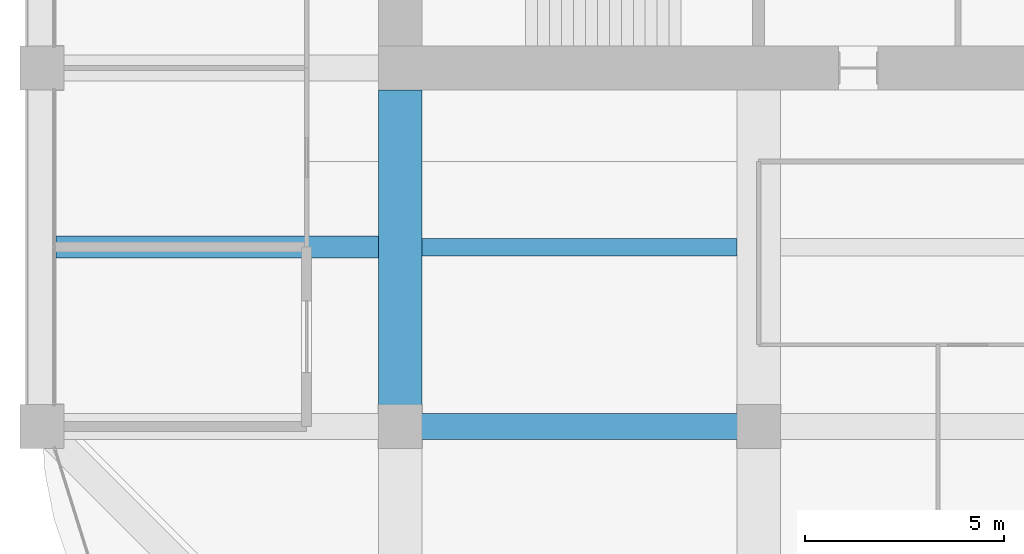
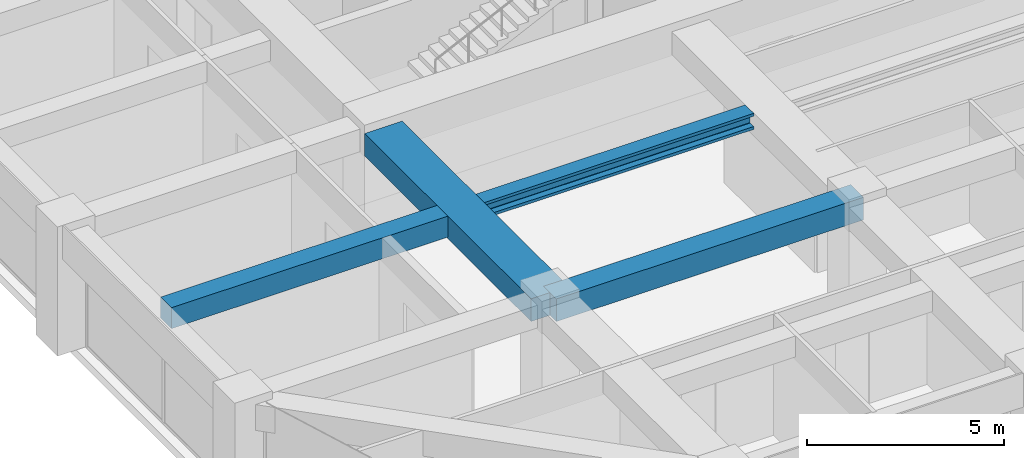
# One storey, part 8 of 44: 4 beams.
"""IFC4 building model written with IfcOpenShell, lengths in metres."""

from ifc_helpers import new_model, si_unit, direction, frame, origin, origin_2d, place, context, subcontext, project, spatial, rectangle, i_section, extrude, material, material_profile, profile_set, type_object, element, save


model = new_model("IFC4")

# Units and contexts
model_context = context("Model", 3, precision=1e-05, world=origin(), true_north=direction((0.0, 1.0)))
body_context = subcontext(model_context, "Body", "Model", "MODEL_VIEW")
ifc_project = project(units=[si_unit("LENGTHUNIT", "METRE"), si_unit("AREAUNIT", "SQUARE_METRE"), si_unit("VOLUMEUNIT", "CUBIC_METRE"), si_unit("PLANEANGLEUNIT", "RADIAN"), si_unit("MASSUNIT", "GRAM", prefix="KILO")], contexts=[model_context])

# Site, building, storey
site_placement = place(None, origin())
site = spatial("IfcSite", under=ifc_project, at=site_placement, CompositionType="ELEMENT")
building_placement = place(site_placement, origin())
building = spatial("IfcBuilding", under=site, at=building_placement, Name="Zorevar Civic Tower", CompositionType="ELEMENT")
storey_placement = place(building_placement, frame((0.0, 0.0, 275.39990234375)))
storey = spatial("IfcBuildingStorey", under=building, at=storey_placement, Name="L67", CompositionType="ELEMENT", Elevation=275.39990234375)

# Beams
ifc_material_1 = material(Name="Concrete C50/60", Category="concrete")
ifc_material_profile_1 = material_profile(ifc_material_1, rectangle(XDim=1.10009765625, YDim=0.699951171875, at=origin_2d()), Name="RC 1100x700")
ifc_profile_set_1 = profile_set([ifc_material_profile_1], Name="Concrete C50/60")
beam_type_1 = type_object("IfcBeamType", Name="Beam RC 1100x700", PredefinedType="BEAM", material=ifc_profile_set_1)
beam_1_placement = place(storey_placement, frame((18.0, 9.0, 3.400146484375), z_axis=(0.0, 1.0, 0.0), x_axis=(-1.0, 0.0, 0.0)))
element("IfcBeam", 1, at=beam_1_placement, inside=storey, type_object=beam_type_1, Name="Girder L68", PredefinedType="BEAM", context=body_context, shape_type="SweptSolid", body=[
    extrude(rectangle(XDim=1.10009765625, YDim=0.699951171875, at=origin_2d()), origin(), (0.0, 0.0, 1.0), 8.449951171875),
])
ifc_material_2 = material(Name="Concrete C50/60", Category="concrete")
ifc_material_profile_2 = material_profile(ifc_material_2, rectangle(XDim=0.550048828125, YDim=0.64990234375, at=origin_2d()), Name="RC 550x650")
ifc_profile_set_2 = profile_set([ifc_material_profile_2], Name="Concrete C50/60")
beam_type_2 = type_object("IfcBeamType", Name="Beam RC 550x650", PredefinedType="BEAM", material=ifc_profile_set_2)
beam_2_placement = place(storey_placement, frame((9.35009765625, 13.5, 3.425048828125), z_axis=(1.0, 0.0, 0.0), x_axis=(0.0, 1.0, 0.0)))
element("IfcBeam", 2, at=beam_2_placement, inside=storey, type_object=beam_type_2, Name="Secondary beam L68", PredefinedType="BEAM", context=body_context, shape_type="SweptSolid", body=[
    extrude(rectangle(XDim=0.550048828125, YDim=0.64990234375, at=origin_2d()), origin(), (0.0, 0.0, 1.0), 8.099853515625),
])
ifc_material_3 = material(Name="Concrete C50/60", Category="concrete")
ifc_material_profile_3 = material_profile(ifc_material_3, rectangle(XDim=0.64990234375, YDim=0.699951171875, at=origin_2d()), Name="RC 650x700")
ifc_profile_set_3 = profile_set([ifc_material_profile_3], Name="Concrete C50/60")
beam_type_3 = type_object("IfcBeamType", Name="Beam RC 650x700", PredefinedType="BEAM", material=ifc_profile_set_3)
beam_3_placement = place(storey_placement, frame((18.0, 9.0, 3.400146484375), z_axis=(1.0, 0.0, 0.0), x_axis=(0.0, 1.0, 0.0)))
element("IfcBeam", 3, at=beam_3_placement, inside=storey, type_object=beam_type_3, Name="Girder L68", PredefinedType="BEAM", context=body_context, shape_type="SweptSolid", body=[
    extrude(rectangle(XDim=0.64990234375, YDim=0.699951171875, at=origin_2d()), origin(), (0.0, 0.0, 1.0), 9.0),
])
ifc_material_4 = material(Name="Steel S460M (HISTAR 460)", Category="steel")
ifc_material_profile_4 = material_profile(ifc_material_4, i_section(OverallWidth=0.431884765625, OverallDepth=0.498046875, WebThickness=0.0556640625, FlangeThickness=0.0888671875, FilletRadius=0.014892578125, at=origin_2d()), Name="HD 400x744")
ifc_profile_set_4 = profile_set([ifc_material_profile_4], Name="Steel S460M (HISTAR 460)")
beam_type_4 = type_object("IfcBeamType", Name="Core bay beam HD 400x744", PredefinedType="BEAM", material=ifc_profile_set_4)
beam_4_placement = place(storey_placement, frame((18.550048828125, 13.5, 3.5009765625), z_axis=(1.0, 0.0, 0.0), x_axis=(0.0, 1.0, 0.0)))
element("IfcBeam", 4, at=beam_4_placement, inside=storey, type_object=beam_type_4, Name="Secondary beam L68", PredefinedType="BEAM", context=body_context, shape_type="SweptSolid", body=[
    extrude(i_section(OverallWidth=0.431884765625, OverallDepth=0.498046875, WebThickness=0.0556640625, FlangeThickness=0.0888671875, FilletRadius=0.014892578125, at=origin_2d()), origin(), (0.0, 0.0, 1.0), 7.89990234375),
])

save(model, "model.ifc")
